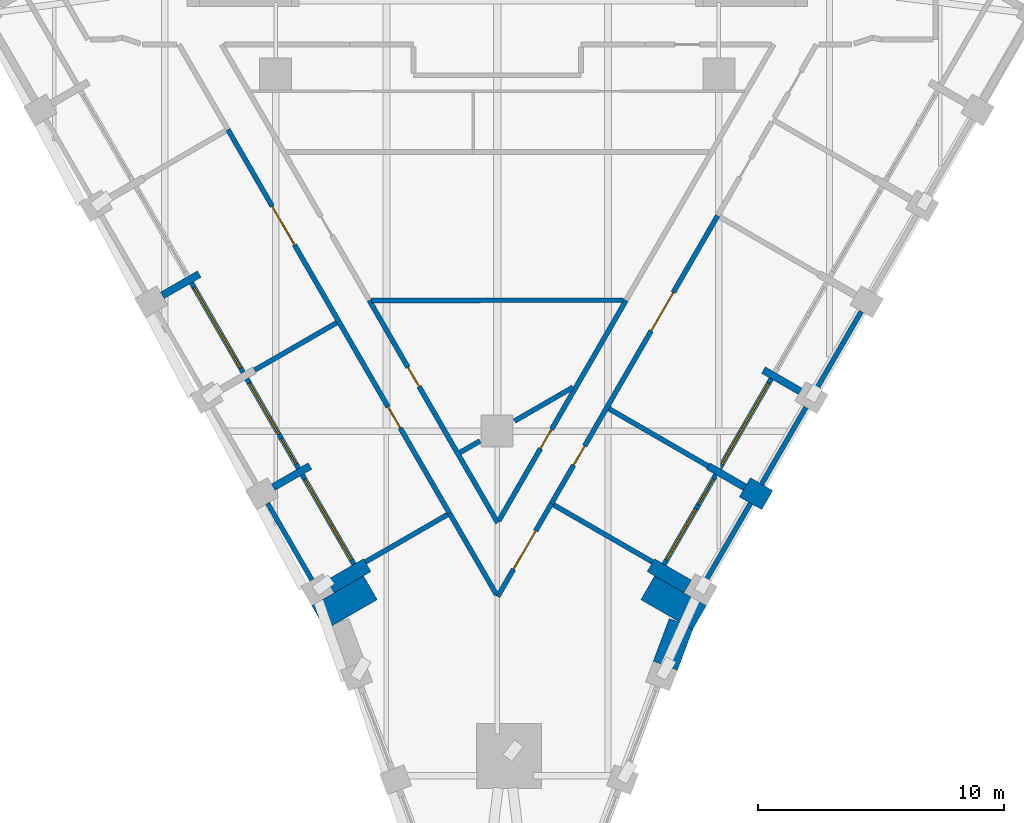
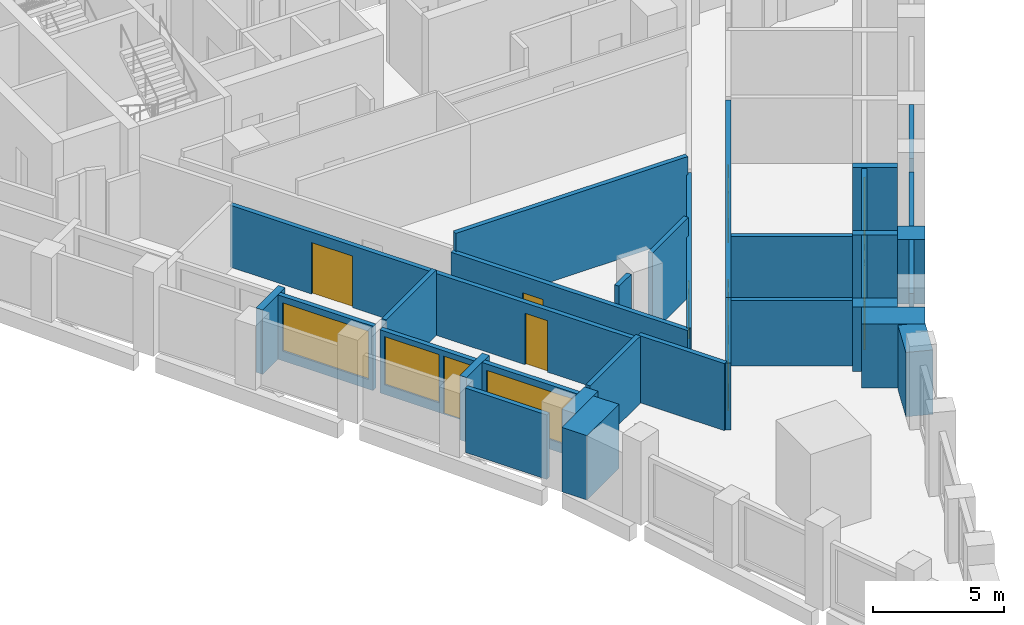
# One storey, part 3 of 10: 32 walls, 9 doors, 5 windows, 14 openings.
"""IFC4 building model written with IfcOpenShell, lengths in metres."""

import ifcopenshell
import ifcopenshell.guid

model = None  # the IFC model being written
_history = None  # IfcOwnerHistory: only IFC2X3 demands one
_inside = {}  # id of a spatial element -> (the spatial element, [elements in it])
_under = {}  # id of a project, library or spatial element -> (it, [spatial elements below it])
_declared = {}  # id of a project -> (the project, [libraries it declares])
_typed = {}  # id of a type object -> (the type object, [elements of that type])
_made_of = {}  # id of a material, layer set ... -> (it, [elements and type objects made of it])


def new_model(schema):
    """Start an empty IFC model of exactly this schema.

    Asked for "IFC4X3", IfcOpenShell would pick the latest addendum, in which some entities
    have other attributes; the version numbers below select the first issue.
    IFC2X3 requires an IfcOwnerHistory on every rooted entity: one is made here for all.
    """
    global model, _history
    if schema == "IFC4X3":
        model = ifcopenshell.file(schema_version=(4, 3, 0, 0))
    else:
        model = ifcopenshell.file(schema=schema)
    _inside.clear()
    _under.clear()
    _declared.clear()
    _typed.clear()
    _made_of.clear()
    _history = None
    if model.schema == "IFC2X3":
        org = make("IfcOrganization", Name="unknown")
        user = make(
            "IfcPersonAndOrganization",
            ThePerson=make("IfcPerson", FamilyName="unknown"),
            TheOrganization=org,
        )
        app = make(
            "IfcApplication",
            ApplicationDeveloper=org,
            Version="unknown",
            ApplicationFullName="unknown",
            ApplicationIdentifier="unknown",
        )
        _history = make(
            "IfcOwnerHistory",
            OwningUser=user,
            OwningApplication=app,
            ChangeAction="ADDED",
            CreationDate=0,
        )
    return model


def make(cls, **values):
    """One entity of the class cls with the attributes given. An attribute that is None is left unset."""
    return model.create_entity(
        cls, **{name: value for name, value in values.items() if value is not None}
    )


def rooted(cls, **values):
    """An entity with a GlobalId (a new one), such as an element, a storey or a relation."""
    return make(cls, GlobalId=ifcopenshell.guid.new(), OwnerHistory=_history, **values)


def si_unit(unit_type, name, prefix=None):
    """IfcSIUnit, for example si_unit("LENGTHUNIT", "METRE", prefix="MILLI")."""
    return make("IfcSIUnit", UnitType=unit_type, Prefix=prefix, Name=name)


def assignment(units):
    """IfcUnitAssignment: the units of a project."""
    return None if units is None else make("IfcUnitAssignment", Units=units)


def point(xyz):
    """IfcCartesianPoint."""
    return None if xyz is None else make("IfcCartesianPoint", Coordinates=xyz)


def direction(xyz):
    """IfcDirection."""
    return None if xyz is None else make("IfcDirection", DirectionRatios=xyz)


def frame(location, z_axis=None, x_axis=None):
    """IfcAxis2Placement3D, a coordinate frame: its origin and axes. An axis left out is left unset."""
    return make(
        "IfcAxis2Placement3D",
        Location=point(location),
        Axis=direction(z_axis),
        RefDirection=direction(x_axis),
    )


def frame_2d(location, x_axis=None):
    """IfcAxis2Placement2D, a coordinate frame in the plane: its origin and x axis."""
    return make(
        "IfcAxis2Placement2D", Location=point(location), RefDirection=direction(x_axis)
    )


def origin():
    """The frame at (0, 0, 0) with its axes left unset."""
    return frame((0.0, 0.0, 0.0))


def place(relative_to, where):
    """IfcLocalPlacement: puts the frame where relative to a parent placement (None: the world)."""
    return make(
        "IfcLocalPlacement", PlacementRelTo=relative_to, RelativePlacement=where
    )


def context(
    kind, dimensions, precision=None, world=None, true_north=None, identifier=None
):
    """IfcGeometricRepresentationContext, for example the 3D "Model" context."""
    return make(
        "IfcGeometricRepresentationContext",
        ContextIdentifier=identifier,
        ContextType=kind,
        CoordinateSpaceDimension=dimensions,
        Precision=precision,
        WorldCoordinateSystem=world,
        TrueNorth=true_north,
    )


def subcontext(parent, identifier, kind, view, scale=None):
    """IfcGeometricRepresentationSubContext, for example "Body" below "Model"."""
    return make(
        "IfcGeometricRepresentationSubContext",
        ContextIdentifier=identifier,
        ContextType=kind,
        ParentContext=parent,
        TargetScale=scale,
        TargetView=view,
    )


def project(units=None, contexts=None):
    """IfcProject with its units and contexts."""
    return rooted(
        "IfcProject",
        Name="project",
        RepresentationContexts=contexts,
        UnitsInContext=assignment(units),
    )


def spatial(cls, under=None, at=None, **own):
    """A site, building, storey or space (cls), placed at a placement, below another one or the project."""
    s = rooted(cls, ObjectPlacement=at, **own)
    if under is not None:
        _under.setdefault(under.id(), (under, []))[1].append(s)
    return s


def polyline(points):
    """IfcPolyline through the points."""
    return make("IfcPolyline", Points=[point(p) for p in points])


def profile(cls, at=None, kind="AREA", **sizes):
    """A parametric profile (cls). Its sizes go by their IFC names, for example OverallWidth=200.0."""
    return make(cls, ProfileType=kind, Position=at, **sizes)


def rectangle(**sizes):
    """IfcRectangleProfileDef."""
    return profile("IfcRectangleProfileDef", **sizes)


def outline(outer, holes=None, kind="AREA"):
    """IfcArbitraryClosedProfileDef: a profile drawn as a closed curve; with holes, ...WithVoids."""
    if holes is None:
        return make("IfcArbitraryClosedProfileDef", ProfileType=kind, OuterCurve=outer)
    return make(
        "IfcArbitraryProfileDefWithVoids",
        ProfileType=kind,
        OuterCurve=outer,
        InnerCurves=holes,
    )


def extrude(swept, where, along, depth):
    """IfcExtrudedAreaSolid: the profile swept, set in the frame where, extruded along a direction by depth."""
    return make(
        "IfcExtrudedAreaSolid",
        SweptArea=swept,
        Position=where,
        ExtrudedDirection=direction(along),
        Depth=depth,
    )


def shape(context_of_items, identifier, shape_type, items):
    """IfcShapeRepresentation: the items that make up one representation, for example the "Body"."""
    return make(
        "IfcShapeRepresentation",
        ContextOfItems=context_of_items,
        RepresentationIdentifier=identifier,
        RepresentationType=shape_type,
        Items=items,
    )


def material(Name=None, Category=None):
    """IfcMaterial."""
    return make("IfcMaterial", Name=Name, Category=Category)


def layer(
    of_material, thickness, ventilated=None, Name=None, Category=None, Priority=None
):
    """IfcMaterialLayer: one layer of a wall or slab, of a material (None: an air gap)."""
    return make(
        "IfcMaterialLayer",
        Material=of_material,
        LayerThickness=thickness,
        IsVentilated=ventilated,
        Name=Name,
        Category=Category,
        Priority=Priority,
    )


def layer_set(layers, Name=None):
    """IfcMaterialLayerSet."""
    return make("IfcMaterialLayerSet", MaterialLayers=layers, LayerSetName=Name)


def made_of(thing, what):
    """Note that an element or type object is made of a material, layer set ...; save() writes the relation."""
    if what is not None:
        _made_of.setdefault(what.id(), (what, []))[1].append(thing)
    return thing


def type_object(cls, material=None, **own):
    """A type object (cls), such as IfcWallType, which elements share."""
    return made_of(rooted(cls, **own), material)


def element(
    cls,
    number,
    at=None,
    inside=None,
    cuts=None,
    type_object=None,
    material=None,
    context=None,
    identifier="Body",
    shape_type=None,
    held_by="IfcProductDefinitionShape",
    body=None,
    shapes=None,
    **own,
):
    """One element of the class cls, such as IfcWall. Its Tag is "e" and its number.

    at: its placement. inside: the storey or other place that contains it. cuts: it is an
    opening in that element (IfcRelVoidsElement). A single representation is given by context,
    identifier, shape_type and body (its items); several are given by shapes. held_by: the class
    of the entity that holds the representations. save() writes the other relations.
    """
    e = rooted(cls, Tag="e%d" % number, ObjectPlacement=at, **own)
    if body is not None:
        shapes = [shape(context, identifier, shape_type, body)]
    if shapes is not None:
        e.Representation = make(held_by, Representations=shapes)
    if inside is not None:
        _inside.setdefault(inside.id(), (inside, []))[1].append(e)
    if cuts is not None:
        rooted(
            "IfcRelVoidsElement", RelatingBuildingElement=cuts, RelatedOpeningElement=e
        )
    if type_object is not None:
        _typed.setdefault(type_object.id(), (type_object, []))[1].append(e)
    return made_of(e, material)


def fill(opening, filler):
    """IfcRelFillsElement: the door or window that sits in an opening."""
    return rooted(
        "IfcRelFillsElement",
        RelatingOpeningElement=opening,
        RelatedBuildingElement=filler,
    )


def aggregate(whole, parts):
    """IfcRelAggregates: a whole, such as a stair, and the parts it consists of."""
    return rooted("IfcRelAggregates", RelatingObject=whole, RelatedObjects=parts)


def save(model, path):
    """Write the relations noted so far, then the file.

    IfcRelAggregates (storeys below a building ...), IfcRelContainedInSpatialStructure (elements
    in a storey), IfcRelDefinesByType, IfcRelAssociatesMaterial and IfcRelDeclares: one each for
    every whole, place, type object, material and project.
    """
    for whole, parts in _under.values():
        aggregate(whole, parts)
    for where, things in _inside.values():
        rooted(
            "IfcRelContainedInSpatialStructure",
            RelatedElements=things,
            RelatingStructure=where,
        )
    for kind, things in _typed.values():
        rooted("IfcRelDefinesByType", RelatedObjects=things, RelatingType=kind)
    for what, things in _made_of.values():
        rooted("IfcRelAssociatesMaterial", RelatedObjects=things, RelatingMaterial=what)
    for by, libraries in _declared.values():
        rooted("IfcRelDeclares", RelatingContext=by, RelatedDefinitions=libraries)
    model.write(path)


model = new_model("IFC4")

# Units and contexts
model_context = context("Model", 3, precision=1e-05, world=origin(), true_north=direction((0.0, 1.0)))
body_context = subcontext(model_context, "Body", "Model", "MODEL_VIEW")
ifc_project = project(units=[si_unit("LENGTHUNIT", "METRE"), si_unit("AREAUNIT", "SQUARE_METRE"), si_unit("VOLUMEUNIT", "CUBIC_METRE"), si_unit("PLANEANGLEUNIT", "RADIAN"), si_unit("MASSUNIT", "GRAM", prefix="KILO")], contexts=[model_context])

# Site, building, storey
site_placement = place(None, origin())
site = spatial("IfcSite", under=ifc_project, at=site_placement, CompositionType="ELEMENT")
building_placement = place(site_placement, origin())
building = spatial("IfcBuilding", under=site, at=building_placement, Name="Calabash Gate Tower", CompositionType="ELEMENT")
storey_placement = place(building_placement, frame((0.0, 0.0, 175.800048828125)))
storey = spatial("IfcBuildingStorey", under=building, at=storey_placement, Name="L41", CompositionType="ELEMENT", Elevation=175.800048828125)

# Walls
ifc_material_1 = material(Name="Terracotta brick masonry, exposed face", Category="masonry")
ifc_layer_1 = layer(ifc_material_1, 2.425048828125)
ifc_layer_set_1 = layer_set([ifc_layer_1], Name="Brick corner mass wall 2425")
wall_type_1 = type_object("IfcWallType", Name="Brick corner mass wall 2425", PredefinedType="SOLIDWALL", material=ifc_layer_set_1)
for number, where, z_axis, x_axis, name in (
    (1, (-5.154052734375, -18.366943359375, 0.0), (0.0, 0.0, 1.0), (-0.865997808697, -0.500047793048, 0.0), "Brick corner pier S11 1"),
    (2, (8.21337890625, -19.57958984375, 0.0), (0.0, 0.0, 1.0), (-0.865997808697, 0.500047793048, 0.0), "Brick corner pier S11 2"),
):
    element("IfcWall", number, at=place(storey_placement, frame(where, z_axis=z_axis, x_axis=x_axis)), inside=storey, type_object=wall_type_1, Name=name, PredefinedType="SOLIDWALL", context=body_context, shape_type="SweptSolid", body=[
        extrude(rectangle(XDim=2.425048828125, YDim=1.11669921875, at=frame_2d((1.21240234375, 0.0))), origin(), (0.0, 0.0, 1.0), 3.0),
    ])
ifc_material_2 = material(Name="Terracotta brick masonry, exposed face", Category="masonry")
ifc_layer_2 = layer(ifc_material_2, 1.050048828125)
ifc_layer_set_2 = layer_set([ifc_layer_2], Name="Brick end wall 1050")
wall_type_2 = type_object("IfcWallType", Name="Brick end wall 1050", PredefinedType="SOLIDWALL", material=ifc_layer_set_2)
wall_1_placement = place(storey_placement, frame((10.967529296875, -14.80908203125, 0.0), z_axis=(0.0, 0.0, 1.0), x_axis=(-0.866030680601, 0.499990860175, 0.0)))
element("IfcWall", 3, at=wall_1_placement, inside=storey, type_object=wall_type_2, Name="Brick pier S11 SE4.1", PredefinedType="SOLIDWALL", context=body_context, shape_type="SweptSolid", body=[
    extrude(rectangle(XDim=1.0498046875, YDim=0.89990234375, at=frame_2d((0.52490234375, 0.0))), origin(), (0.0, 0.0, 1.0), 3.0),
])
wall_2_placement = place(storey_placement, origin())
element("IfcWall", 4, at=wall_2_placement, inside=storey, type_object=wall_type_2, Name="Brick end wall S11 3", PredefinedType="SOLIDWALL", context=body_context, shape_type="SweptSolid", body=[
    extrude(outline(polyline([(6.98828125, -19.61572265625), (6.337890625, -21.345947265625), (7.32080078125, -21.71533203125), (7.955810546875, -20.025634765625), (7.934326171875, -20.06298828125), (7.479736328125, -19.800537109375), (6.98828125, -19.61572265625)])), origin(), (0.0, 0.0, 1.0), 3.0),
])
ifc_material_3 = material(Name="Terracotta brick masonry, exposed face", Category="masonry")
ifc_layer_3 = layer(ifc_material_3, 0.300048828125)
ifc_layer_set_3 = layer_set([ifc_layer_3], Name="Brick loggia cheek wall 300")
wall_type_3 = type_object("IfcWallType", Name="Brick loggia cheek wall 300", PredefinedType="SOLIDWALL", material=ifc_layer_set_3)
for number, where, z_axis, x_axis, name in (
    (5, (-13.598876953125, -6.489990234375, 0.0), (0.0, 0.0, 1.0), (0.866013532718, 0.500020560727, 0.0), "Loggia cheek S11 SW0.5"),
    (6, (-9.098876953125, -14.2841796875, 0.0), (0.0, 0.0, 1.0), (0.866013532718, 0.500020560727, 0.0), "Loggia cheek S11 SW0.7"),
):
    element("IfcWall", number, at=place(storey_placement, frame(where, z_axis=z_axis, x_axis=x_axis)), inside=storey, type_object=wall_type_3, Name=name, PredefinedType="SOLIDWALL", context=body_context, shape_type="SweptSolid", body=[
        extrude(rectangle(XDim=1.72509765625, YDim=0.300048828125, at=frame_2d((0.862548828125, 0.0))), origin(), (0.0, 0.0, 1.0), 3.0),
    ])
for number, where, z_axis, x_axis, name in (
    (7, (-6.77392578125, -18.311279296875, 0.0), (0.0, 0.0, 1.0), (0.866013532718, 0.500020560727, 0.0), "Loggia cheek S11 SW0.8"),
    (8, (7.7333984375, -18.311279296875, 0.0), (0.0, 0.0, 1.0), (-0.866013532718, 0.500020560727, 0.0), "Loggia cheek S11 SE4.0"),
):
    element("IfcWall", number, at=place(storey_placement, frame(where, z_axis=z_axis, x_axis=x_axis)), inside=storey, type_object=wall_type_3, Name=name, PredefinedType="SOLIDWALL", context=body_context, shape_type="SweptSolid", body=[
        extrude(rectangle(XDim=1.72509765625, YDim=0.60009765625, at=frame_2d((0.862548828125, 0.0))), origin(), (0.0, 0.0, 1.0), 3.0),
    ])
wall_3_placement = place(storey_placement, frame((10.058349609375, -14.2841796875, 0.0), z_axis=(0.0, 0.0, 1.0), x_axis=(-0.866013532718, 0.500020560727, 0.0)))
element("IfcWall", 9, at=wall_3_placement, inside=storey, type_object=wall_type_3, Name="Loggia cheek S11 SE4.1", PredefinedType="SOLIDWALL", context=body_context, shape_type="SweptSolid", body=[
    extrude(rectangle(XDim=1.72509765625, YDim=0.300048828125, at=frame_2d((0.862548828125, 0.0))), origin(), (0.0, 0.0, 1.0), 3.0),
])
wall_4_placement = place(storey_placement, frame((12.308349609375, -10.386962890625, 0.0), z_axis=(0.0, 0.0, 1.0), x_axis=(-0.866074815912, 0.499914405916, 0.0)))
element("IfcWall", 10, at=wall_4_placement, inside=storey, type_object=wall_type_3, Name="Loggia cheek S11 SE4.2", PredefinedType="SOLIDWALL", context=body_context, shape_type="SweptSolid", body=[
    extrude(rectangle(XDim=1.724853515625, YDim=0.300048828125, at=frame_2d((0.8623046875, 0.0))), origin(), (0.0, 0.0, 1.0), 3.0),
])
ifc_material_4 = material(Name="Gypsum board on steel studs, mineral wool", Category="steel")
ifc_layer_4 = layer(ifc_material_4, 0.199951171875)
ifc_layer_set_4 = layer_set([ifc_layer_4], Name="Partition 200 gypsum board EI 60")
wall_type_4 = type_object("IfcWallType", Name="Partition 200 gypsum board EI 60", PredefinedType="PARTITIONING", material=ifc_layer_set_4)
wall_5_placement = place(storey_placement, frame((-1.935791015625, -15.34521484375, 0.0), z_axis=(0.0, 0.0, 1.0), x_axis=(0.500383446004, -0.865803907918, 0.0)))
element("IfcWall", 11, at=wall_5_placement, inside=storey, type_object=wall_type_4, Name="Partition", PredefinedType="PARTITIONING", context=body_context, shape_type="SweptSolid", body=[
    extrude(rectangle(XDim=3.80419921875, YDim=0.199951171875, at=frame_2d((1.902099609375, 0.0))), origin(), (0.0, 0.0, 1.0), 3.1279296875),
])
wall_6_placement = place(storey_placement, frame((2.286865234375, -14.99560546875, 0.0), z_axis=(0.0, 0.0, 1.0), x_axis=(0.866183837695, -0.499725483956, 0.0)))
element("IfcWall", 12, at=wall_6_placement, inside=storey, type_object=wall_type_4, Name="Partition", PredefinedType="PARTITIONING", context=body_context, shape_type="SweptSolid", body=[
    extrude(rectangle(XDim=4.6494140625, YDim=0.199951171875, at=frame_2d((2.32470703125, 0.0))), origin(), (0.0, 0.0, 1.0), 3.0517578125),
])

# Wall, opening, door
wall_7_placement = place(storey_placement, frame((0.06787109375, -15.637939453125, 0.0), z_axis=(0.0, 0.0, 1.0), x_axis=(0.499989755964, 0.866031318101, 0.0)))
wall_7 = element("IfcWall", 13, at=wall_7_placement, inside=storey, type_object=wall_type_4, Name="Partition", PredefinedType="PARTITIONING", context=body_context, shape_type="SweptSolid", body=[
    extrude(rectangle(XDim=10.330810546875, YDim=0.199951171875, at=frame_2d((5.16552734375, 0.0))), origin(), (0.0, 0.0, 1.0), 2.884033203125),
])
opening_1_placement = place(wall_7_placement, frame((3.384521484375, 0.0, 0.0)))
opening_1 = element("IfcOpeningElement", 14, at=opening_1_placement, cuts=wall_7, Name="Opening 39-41-006", PredefinedType="OPENING", context=body_context, shape_type="SweptSolid", body=[
    extrude(rectangle(XDim=0.89990234375, YDim=2.10009765625, at=frame_2d((0.449951171875, 1.050048828125))), frame((0.0, 0.10986328125, 0.0), z_axis=(0.0, -1.0, 0.0), x_axis=(1.0, 0.0, 0.0)), (0.0, 0.0, 1.0), 0.219970703125),
])
ifc_material_5 = material(Name="Steel fire door set with fire-resisting glazing", Category="steel")
door_type_1 = type_object("IfcDoorType", Name="SD3 Store door 900x2100", OperationType="NOTDEFINED", PredefinedType="DOOR", material=ifc_material_5)
door_1_placement = place(opening_1_placement, origin())
door_1 = element("IfcDoor", 15, at=door_1_placement, inside=storey, type_object=door_type_1, Name="Store door", OperationType="SINGLE_SWING_LEFT", OverallHeight=2.10009765625, OverallWidth=0.89990234375, PredefinedType="DOOR", context=body_context, shape_type="SweptSolid", body=[
    extrude(rectangle(XDim=0.89990234375, YDim=2.10009765625, at=frame_2d((0.449951171875, 1.050048828125))), frame((0.0, 0.02490234375, 0.0), z_axis=(0.0, -1.0, 0.0), x_axis=(1.0, 0.0, 0.0)), (0.0, 0.0, 1.0), 0.050048828125),
])
fill(opening_1, door_1)

# Wall
wall_8_placement = place(storey_placement, frame((-5.354736328125, -17.319091796875, 0.0), z_axis=(0.0, 0.0, 1.0), x_axis=(0.866214094833, 0.499673035007, 0.0)))
element("IfcWall", 16, at=wall_8_placement, inside=storey, type_object=wall_type_4, Name="Partition", PredefinedType="PARTITIONING", context=body_context, shape_type="SweptSolid", body=[
    extrude(rectangle(XDim=3.84912109375, YDim=0.199951171875, at=frame_2d((1.924560546875, 0.0))), origin(), (0.0, 0.0, 1.0), 3.1279296875),
])

# Wall, openings, doors
wall_9_placement = place(storey_placement, frame((-10.93603515625, 0.24365234375, 0.0), z_axis=(0.0, 0.0, 1.0), x_axis=(0.5000018851, -0.866024315419, 0.0)))
wall_9 = element("IfcWall", 17, at=wall_9_placement, inside=storey, type_object=wall_type_4, Name="Partition", PredefinedType="PARTITIONING", context=body_context, shape_type="SweptSolid", body=[
    extrude(rectangle(XDim=18.0, YDim=0.199951171875, at=frame_2d((9.0, 0.0))), origin(), (0.0, 0.0, 1.0), 2.884033203125),
])
opening_2_placement = place(wall_9_placement, frame((3.60009765625, 0.0, 0.0)))
opening_2 = element("IfcOpeningElement", 18, at=opening_2_placement, cuts=wall_9, Name="Opening 39-41-001", PredefinedType="OPENING", context=body_context, shape_type="SweptSolid", body=[
    extrude(rectangle(XDim=1.800048828125, YDim=2.39990234375, at=frame_2d((0.89990234375, 1.199951171875))), frame((0.0, 0.10986328125, 0.0), z_axis=(0.0, -1.0, 0.0), x_axis=(1.0, 0.0, 0.0)), (0.0, 0.0, 1.0), 0.219970703125),
])
opening_3_placement = place(wall_9_placement, frame((13.0, 0.0, 0.0)))
opening_3 = element("IfcOpeningElement", 19, at=opening_3_placement, cuts=wall_9, Name="Opening 39-41-002", PredefinedType="OPENING", context=body_context, shape_type="SweptSolid", body=[
    extrude(rectangle(XDim=1.0, YDim=2.39990234375, at=frame_2d((0.5, 1.199951171875))), frame((0.0, 0.10986328125, 0.0), z_axis=(0.0, -1.0, 0.0), x_axis=(1.0, 0.0, 0.0)), (0.0, 0.0, 1.0), 0.219970703125),
])
ifc_material_6 = material(Name="Painted timber door", Category="wood")
door_type_2 = type_object("IfcDoorType", Name="OD2 Glazed office door 1000x2400", OperationType="NOTDEFINED", PredefinedType="DOOR", material=ifc_material_6)
door_2_placement = place(opening_3_placement, origin())
door_2 = element("IfcDoor", 20, at=door_2_placement, inside=storey, type_object=door_type_2, Name="Glazed office door", OperationType="SINGLE_SWING_LEFT", OverallHeight=2.39990234375, OverallWidth=1.0, PredefinedType="DOOR", context=body_context, shape_type="SweptSolid", body=[
    extrude(rectangle(XDim=1.0, YDim=2.39990234375, at=frame_2d((0.5, 1.199951171875))), frame((0.0, 0.02490234375, 0.0), z_axis=(0.0, -1.0, 0.0), x_axis=(1.0, 0.0, 0.0)), (0.0, 0.0, 1.0), 0.050048828125),
])
fill(opening_3, door_2)
ifc_material_7 = material(Name="Steel fire door set with fire-resisting glazing", Category="steel")
door_type_3 = type_object("IfcDoorType", Name="TD1 Tenancy entrance double door 1800x2400", OperationType="NOTDEFINED", PredefinedType="DOOR", material=ifc_material_7)
door_3_placement = place(opening_2_placement, origin())
door_3 = element("IfcDoor", 21, at=door_3_placement, inside=storey, type_object=door_type_3, Name="Tenancy entrance double door", OperationType="DOUBLE_DOOR_SINGLE_SWING", OverallHeight=2.39990234375, OverallWidth=1.800048828125, PredefinedType="DOOR", context=body_context, shape_type="SweptSolid", body=[
    extrude(rectangle(XDim=1.800048828125, YDim=2.39990234375, at=frame_2d((0.89990234375, 1.199951171875))), frame((0.0, 0.02490234375, 0.0), z_axis=(0.0, -1.0, 0.0), x_axis=(1.0, 0.0, 0.0)), (0.0, 0.0, 1.0), 0.050048828125),
])
fill(opening_2, door_3)

# Wall, opening, door
wall_10_placement = place(storey_placement, frame((0.017822265625, -18.725341796875, 0.0), z_axis=(0.0, 0.0, 1.0), x_axis=(0.500372623754, 0.865810162448, 0.0)))
wall_10 = element("IfcWall", 22, at=wall_10_placement, inside=storey, type_object=wall_type_4, Name="Partition", PredefinedType="PARTITIONING", context=body_context, shape_type="SweptSolid", body=[
    extrude(rectangle(XDim=4.365966796875, YDim=0.199951171875, at=frame_2d((2.18310546875, 0.0))), origin(), (0.0, 0.0, 1.0), 3.1279296875),
])
opening_4_placement = place(wall_10_placement, frame((1.283203125, 0.0, 0.0)))
opening_4 = element("IfcOpeningElement", 23, at=opening_4_placement, cuts=wall_10, Name="Opening 39-41-013", PredefinedType="OPENING", context=body_context, shape_type="SweptSolid", body=[
    extrude(rectangle(XDim=1.800048828125, YDim=2.39990234375, at=frame_2d((0.89990234375, 1.199951171875))), frame((0.0, 0.10986328125, 0.0), z_axis=(0.0, -1.0, 0.0), x_axis=(1.0, 0.0, 0.0)), (0.0, 0.0, 1.0), 0.219970703125),
])
ifc_material_8 = material(Name="Steel fire door set with fire-resisting glazing", Category="steel")
door_type_4 = type_object("IfcDoorType", Name="OD5 Open office double door 1800x2400", OperationType="NOTDEFINED", PredefinedType="DOOR", material=ifc_material_8)
door_4_placement = place(opening_4_placement, origin())
door_4 = element("IfcDoor", 24, at=door_4_placement, inside=storey, type_object=door_type_4, Name="Open office double door", OperationType="DOUBLE_DOOR_SINGLE_SWING", OverallHeight=2.39990234375, OverallWidth=1.800048828125, PredefinedType="DOOR", context=body_context, shape_type="SweptSolid", body=[
    extrude(rectangle(XDim=1.800048828125, YDim=2.39990234375, at=frame_2d((0.89990234375, 1.199951171875))), frame((0.0, 0.02490234375, 0.0), z_axis=(0.0, -1.0, 0.0), x_axis=(1.0, 0.0, 0.0)), (0.0, 0.0, 1.0), 0.050048828125),
])
fill(opening_4, door_4)

# Walls
wall_11_placement = place(storey_placement, frame((-1.51220703125, -12.870849609375, 0.0), z_axis=(0.0, 0.0, 1.0), x_axis=(0.866909118008, 0.498466228659, 0.0)))
element("IfcWall", 25, at=wall_11_placement, inside=storey, type_object=wall_type_4, Name="Partition", PredefinedType="PARTITIONING", context=body_context, shape_type="SweptSolid", body=[
    extrude(rectangle(XDim=0.93701171875, YDim=0.199951171875, at=frame_2d((0.468505859375, 0.0))), origin(), (0.0, 0.0, 1.0), 3.72998046875),
])
wall_12_placement = place(storey_placement, frame((0.699951171875, -11.595703125, 0.0), z_axis=(0.0, 0.0, 1.0), x_axis=(0.865997634224, 0.500048095206, 0.0)))
element("IfcWall", 26, at=wall_12_placement, inside=storey, type_object=wall_type_4, Name="Partition", PredefinedType="PARTITIONING", context=body_context, shape_type="SweptSolid", body=[
    extrude(rectangle(XDim=2.747314453125, YDim=0.199951171875, at=frame_2d((1.37353515625, 0.0))), origin(), (0.0, 0.0, 1.0), 3.72998046875),
])
wall_13_placement = place(storey_placement, frame((4.53857421875, -11.09521484375, 0.0), z_axis=(0.0, 0.0, 1.0), x_axis=(0.865854964183, -0.50029509392, 0.0)))
element("IfcWall", 27, at=wall_13_placement, inside=storey, type_object=wall_type_4, Name="Partition", PredefinedType="PARTITIONING", context=body_context, shape_type="SweptSolid", body=[
    extrude(rectangle(XDim=4.649658203125, YDim=0.199951171875, at=frame_2d((2.32470703125, 0.0))), origin(), (0.0, 0.0, 1.0), 2.884033203125),
])
wall_14_placement = place(storey_placement, frame((-9.85498046875, -9.524658203125, 0.0), z_axis=(0.0, 0.0, 1.0), x_axis=(0.866261590682, 0.499590688974, 0.0)))
element("IfcWall", 28, at=wall_14_placement, inside=storey, type_object=wall_type_4, Name="Partition", PredefinedType="PARTITIONING", context=body_context, shape_type="SweptSolid", body=[
    extrude(rectangle(XDim=3.849853515625, YDim=0.199951171875, at=frame_2d((1.9248046875, 0.0))), origin(), (0.0, 0.0, 1.0), 3.0517578125),
])

# Wall, opening, door
wall_15_placement = place(storey_placement, frame((-5.196044921875, -6.690185546875, 0.0), z_axis=(0.0, 0.0, 1.0), x_axis=(0.499990567915, -0.866030849332, 0.0)))
wall_15 = element("IfcWall", 29, at=wall_15_placement, inside=storey, type_object=wall_type_4, Name="Partition", PredefinedType="PARTITIONING", context=body_context, shape_type="SweptSolid", body=[
    extrude(rectangle(XDim=10.430908203125, YDim=0.199951171875, at=frame_2d((5.21533203125, 0.0))), origin(), (0.0, 0.0, 1.0), 2.884033203125),
])
opening_5_placement = place(wall_15_placement, frame((3.147705078125, 0.0, 0.0)))
opening_5 = element("IfcOpeningElement", 30, at=opening_5_placement, cuts=wall_15, Name="Opening 39-41-007", PredefinedType="OPENING", context=body_context, shape_type="SweptSolid", body=[
    extrude(rectangle(XDim=0.89990234375, YDim=2.10009765625, at=frame_2d((0.449951171875, 1.050048828125))), frame((0.0, 0.10986328125, 0.0), z_axis=(0.0, -1.0, 0.0), x_axis=(1.0, 0.0, 0.0)), (0.0, 0.0, 1.0), 0.219970703125),
])
door_5_placement = place(opening_5_placement, origin())
door_5 = element("IfcDoor", 31, at=door_5_placement, inside=storey, type_object=door_type_1, Name="Store door", OperationType="SINGLE_SWING_LEFT", OverallHeight=2.10009765625, OverallWidth=0.89990234375, PredefinedType="DOOR", context=body_context, shape_type="SweptSolid", body=[
    extrude(rectangle(XDim=0.89990234375, YDim=2.10009765625, at=frame_2d((0.449951171875, 1.050048828125))), frame((0.0, 0.02490234375, 0.0), z_axis=(0.0, -1.0, 0.0), x_axis=(1.0, 0.0, 0.0)), (0.0, 0.0, 1.0), 0.050048828125),
])
fill(opening_5, door_5)

# Wall
wall_16_placement = place(storey_placement, frame((-5.098388671875, -6.68994140625, 0.0), z_axis=(0.0, 0.0, 1.0), x_axis=(0.99999998975, 0.000143177586, 0.0)))
element("IfcWall", 32, at=wall_16_placement, inside=storey, type_object=wall_type_4, Name="Partition", PredefinedType="PARTITIONING", context=body_context, shape_type="SweptSolid", body=[
    extrude(rectangle(XDim=10.23095703125, YDim=0.199951171875, at=frame_2d((5.115478515625, 0.0))), origin(), (0.0, 0.0, 1.0), 3.72998046875),
])

# Wall, openings, doors
wall_17_placement = place(storey_placement, frame((2.202392578125, -14.94482421875, 0.0), z_axis=(0.0, 0.0, 1.0), x_axis=(0.499997969693, 0.866026575979, 0.0)))
wall_17 = element("IfcWall", 33, at=wall_17_placement, inside=storey, type_object=wall_type_4, Name="Partition", PredefinedType="PARTITIONING", context=body_context, shape_type="SweptSolid", body=[
    extrude(rectangle(XDim=13.5, YDim=0.199951171875, at=frame_2d((6.75, 0.0))), origin(), (0.0, 0.0, 1.0), 2.884033203125),
])
opening_6_placement = place(wall_17_placement, frame((1.800048828125, 0.0, 0.0)))
opening_6 = element("IfcOpeningElement", 34, at=opening_6_placement, cuts=wall_17, Name="Opening 39-41-003", PredefinedType="OPENING", context=body_context, shape_type="SweptSolid", body=[
    extrude(rectangle(XDim=0.89990234375, YDim=2.10009765625, at=frame_2d((0.449951171875, 1.050048828125))), frame((0.0, 0.10986328125, 0.0), z_axis=(0.0, -1.0, 0.0), x_axis=(1.0, 0.0, 0.0)), (0.0, 0.0, 1.0), 0.219970703125),
])
opening_7_placement = place(wall_17_placement, frame((8.10009765625, 0.0, 0.0)))
opening_7 = element("IfcOpeningElement", 35, at=opening_7_placement, cuts=wall_17, Name="Opening 39-41-004", PredefinedType="OPENING", context=body_context, shape_type="SweptSolid", body=[
    extrude(rectangle(XDim=1.800048828125, YDim=2.39990234375, at=frame_2d((0.89990234375, 1.199951171875))), frame((0.0, 0.10986328125, 0.0), z_axis=(0.0, -1.0, 0.0), x_axis=(1.0, 0.0, 0.0)), (0.0, 0.0, 1.0), 0.219970703125),
])
ifc_material_9 = material(Name="Painted timber door", Category="wood")
door_type_5 = type_object("IfcDoorType", Name="OD1 Office door 900x2100", OperationType="NOTDEFINED", PredefinedType="DOOR", material=ifc_material_9)
door_6_placement = place(opening_6_placement, origin())
door_6 = element("IfcDoor", 36, at=door_6_placement, inside=storey, type_object=door_type_5, Name="Office door", OperationType="SINGLE_SWING_RIGHT", OverallHeight=2.10009765625, OverallWidth=0.89990234375, PredefinedType="DOOR", context=body_context, shape_type="SweptSolid", body=[
    extrude(rectangle(XDim=0.89990234375, YDim=2.10009765625, at=frame_2d((0.449951171875, 1.050048828125))), frame((0.0, 0.02490234375, 0.0), z_axis=(0.0, -1.0, 0.0), x_axis=(1.0, 0.0, 0.0)), (0.0, 0.0, 1.0), 0.050048828125),
])
fill(opening_6, door_6)
door_7_placement = place(opening_7_placement, origin())
door_7 = element("IfcDoor", 37, at=door_7_placement, inside=storey, type_object=door_type_3, Name="Tenancy entrance double door", OperationType="DOUBLE_DOOR_SINGLE_SWING", OverallHeight=2.39990234375, OverallWidth=1.800048828125, PredefinedType="DOOR", context=body_context, shape_type="SweptSolid", body=[
    extrude(rectangle(XDim=1.800048828125, YDim=2.39990234375, at=frame_2d((0.89990234375, 1.199951171875))), frame((0.0, 0.02490234375, 0.0), z_axis=(0.0, -1.0, 0.0), x_axis=(1.0, 0.0, 0.0)), (0.0, 0.0, 1.0), 0.050048828125),
])
fill(opening_7, door_7)

# Walls
ifc_material_10 = material(Name="Terracotta brick masonry, perforated", Category="masonry")
ifc_layer_5 = layer(ifc_material_10, 0.199951171875)
ifc_layer_set_5 = layer_set([ifc_layer_5], Name="Terracotta jaali screen A")
wall_type_5 = type_object("IfcWallType", Name="Terracotta jaali screen A", PredefinedType="SOLIDWALL", material=ifc_layer_set_5)
for number, where, z_axis, x_axis, name in (
    (38, (-9.32861328125, -14.936279296875, 0.0), (0.0, 0.0, 1.0), (0.500012057535, -0.866018442252, 0.0), "SCREEN A S11 SW0.8"),
    (39, (8.488037109375, -18.053955078125, 0.0), (0.0, 0.0, 1.0), (0.500012057535, 0.866018442252, 0.0), "SCREEN A S11 SE4.1"),
    (40, (10.738037109375, -14.156982421875, 0.0), (0.0, 0.0, 1.0), (0.500012057535, 0.866018442252, 0.0), "SCREEN A S11 SE4.2"),
    (41, (12.988037109375, -10.259765625, 0.0), (0.0, 0.0, 1.0), (0.500012057535, 0.866018442252, 0.0), "SCREEN A S11 SE4.3"),
):
    element("IfcWall", number, at=place(storey_placement, frame(where, z_axis=z_axis, x_axis=x_axis)), inside=storey, type_object=wall_type_5, Name=name, PredefinedType="SOLIDWALL", context=body_context, shape_type="SweptSolid", body=[
        extrude(rectangle(XDim=3.60009765625, YDim=0.199951171875, at=frame_2d((1.800048828125, 0.0))), origin(), (0.0, 0.0, 1.0), 3.0),
    ])

# Wall, opening, window
ifc_material_11 = material(Name="Aluminium framed window wall with insulated spandrel", Category="aluminium")
ifc_layer_6 = layer(ifc_material_11, 0.199951171875)
ifc_layer_set_6 = layer_set([ifc_layer_6], Name="Window wall 200")
wall_type_6 = type_object("IfcWallType", Name="Window wall 200", PredefinedType="ELEMENTEDWALL", material=ifc_layer_set_6)
wall_18_placement = place(storey_placement, frame((-12.419921875, -5.982421875, 0.0), z_axis=(0.0, 0.0, 1.0), x_axis=(0.500027713859, -0.866009402589, 0.0)))
wall_18 = element("IfcWall", 42, at=wall_18_placement, inside=storey, type_object=wall_type_6, Name="Window wall S11 SW0.6", PredefinedType="ELEMENTEDWALL", context=body_context, shape_type="SweptSolid", body=[
    extrude(rectangle(XDim=4.199951171875, YDim=0.199951171875, at=frame_2d((2.10009765625, 0.0))), origin(), (0.0, 0.0, 1.0), 3.0),
])
opening_8_placement = place(wall_18_placement, frame((0.199951171875, 0.0, 0.449951171875)))
opening_8 = element("IfcOpeningElement", 43, at=opening_8_placement, cuts=wall_18, Name="Opening OW2", PredefinedType="OPENING", context=body_context, shape_type="SweptSolid", body=[
    extrude(rectangle(XDim=3.800048828125, YDim=2.25, at=frame_2d((1.89990234375, 1.125))), frame((0.0, 0.10986328125, 0.0), z_axis=(0.0, -1.0, 0.0), x_axis=(1.0, 0.0, 0.0)), (0.0, 0.0, 1.0), 0.219970703125),
])
ifc_material_12 = material(Name="Anodised aluminium frame, bronze finish, impact-rated laminated clear glazing", Category="aluminium")
window_type_1 = type_object("IfcWindowType", Name="Window OW2 3800x2250", PartitioningType="TRIPLE_PANEL_VERTICAL", PredefinedType="WINDOW", material=ifc_material_12)
window_1_placement = place(opening_8_placement, origin())
window_1 = element("IfcWindow", 44, at=window_1_placement, inside=storey, type_object=window_type_1, Name="Window OW2 S11 SW0.6", OverallHeight=2.25, OverallWidth=3.800048828125, PartitioningType="SINGLE_PANEL", PredefinedType="WINDOW", context=body_context, shape_type="SweptSolid", body=[
    extrude(rectangle(XDim=3.800048828125, YDim=2.25, at=frame_2d((1.89990234375, 1.125))), frame((0.0, 0.030029296875, 0.0), z_axis=(0.0, -1.0, 0.0), x_axis=(1.0, 0.0, 0.0)), (0.0, 0.0, 1.0), 0.06005859375),
])
fill(opening_8, window_1)

# Wall, openings, door, window
wall_19_placement = place(storey_placement, frame((-10.169921875, -9.87939453125, 0.0), z_axis=(0.0, 0.0, 1.0), x_axis=(0.500002543286, -0.866023935413, 0.0)))
wall_19 = element("IfcWall", 45, at=wall_19_placement, inside=storey, type_object=wall_type_6, Name="Window wall S11 SW0.7", PredefinedType="ELEMENTEDWALL", context=body_context, shape_type="SweptSolid", body=[
    extrude(rectangle(XDim=4.2001953125, YDim=0.199951171875, at=frame_2d((2.10009765625, 0.0))), origin(), (0.0, 0.0, 1.0), 2.949951171875),
])
opening_9_placement = place(wall_19_placement, frame((0.199951171875, 0.0, 0.449951171875)))
opening_9 = element("IfcOpeningElement", 46, at=opening_9_placement, cuts=wall_19, Name="Opening OW1", PredefinedType="OPENING", context=body_context, shape_type="SweptSolid", body=[
    extrude(rectangle(XDim=2.39990234375, YDim=2.25, at=frame_2d((1.199951171875, 1.125))), frame((0.0, 0.10986328125, 0.0), z_axis=(0.0, -1.0, 0.0), x_axis=(1.0, 0.0, 0.0)), (0.0, 0.0, 1.0), 0.219970703125),
])
opening_10_placement = place(wall_19_placement, frame((2.800048828125, 0.0, 0.0)))
opening_10 = element("IfcOpeningElement", 47, at=opening_10_placement, cuts=wall_19, Name="Opening O3-027", PredefinedType="OPENING", context=body_context, shape_type="SweptSolid", body=[
    extrude(rectangle(XDim=1.199951171875, YDim=2.699951171875, at=frame_2d((0.60009765625, 1.35009765625))), frame((0.0, 0.10986328125, 0.0), z_axis=(0.0, -1.0, 0.0), x_axis=(1.0, 0.0, 0.0)), (0.0, 0.0, 1.0), 0.219970703125),
])
ifc_material_13 = material(Name="Anodised aluminium frame, bronze finish, impact-rated laminated clear glazing", Category="aluminium")
door_type_6 = type_object("IfcDoorType", Name="Loggia door DO1 1200x2700", OperationType="SLIDING_TO_LEFT", PredefinedType="DOOR", material=ifc_material_13)
door_8_placement = place(opening_10_placement, origin())
door_8 = element("IfcDoor", 48, at=door_8_placement, inside=storey, type_object=door_type_6, Name="Loggia door S11 SW0.7", OperationType="SINGLE_SWING_LEFT", OverallHeight=2.699951171875, OverallWidth=1.199951171875, PredefinedType="DOOR", context=body_context, shape_type="SweptSolid", body=[
    extrude(rectangle(XDim=1.199951171875, YDim=2.699951171875, at=frame_2d((0.60009765625, 1.35009765625))), frame((0.0, 0.02490234375, 0.0), z_axis=(0.0, -1.0, 0.0), x_axis=(1.0, 0.0, 0.0)), (0.0, 0.0, 1.0), 0.050048828125),
])
fill(opening_10, door_8)
ifc_material_14 = material(Name="Anodised aluminium frame, bronze finish, impact-rated laminated clear glazing", Category="aluminium")
window_type_2 = type_object("IfcWindowType", Name="Window OW1 2400x2250", PartitioningType="DOUBLE_PANEL_VERTICAL", PredefinedType="WINDOW", material=ifc_material_14)
window_2_placement = place(opening_9_placement, origin())
window_2 = element("IfcWindow", 49, at=window_2_placement, inside=storey, type_object=window_type_2, Name="Window OW1 S11 SW0.7", OverallHeight=2.25, OverallWidth=2.39990234375, PartitioningType="SINGLE_PANEL", PredefinedType="WINDOW", context=body_context, shape_type="SweptSolid", body=[
    extrude(rectangle(XDim=2.39990234375, YDim=2.25, at=frame_2d((1.199951171875, 1.125))), frame((0.0, 0.030029296875, 0.0), z_axis=(0.0, -1.0, 0.0), x_axis=(1.0, 0.0, 0.0)), (0.0, 0.0, 1.0), 0.06005859375),
])
fill(opening_9, window_2)

# Wall, opening, window
wall_20_placement = place(storey_placement, frame((-7.919921875, -13.776611328125, 0.0), z_axis=(0.0, 0.0, 1.0), x_axis=(0.500027713859, -0.866009402589, 0.0)))
wall_20 = element("IfcWall", 50, at=wall_20_placement, inside=storey, type_object=wall_type_6, Name="Window wall S11 SW0.8", PredefinedType="ELEMENTEDWALL", context=body_context, shape_type="SweptSolid", body=[
    extrude(rectangle(XDim=4.199951171875, YDim=0.199951171875, at=frame_2d((2.10009765625, 0.0))), origin(), (0.0, 0.0, 1.0), 3.0),
])
opening_11_placement = place(wall_20_placement, frame((0.199951171875, 0.0, 0.449951171875)))
opening_11 = element("IfcOpeningElement", 51, at=opening_11_placement, cuts=wall_20, Name="Opening OW2", PredefinedType="OPENING", context=body_context, shape_type="SweptSolid", body=[
    extrude(rectangle(XDim=3.800048828125, YDim=2.25, at=frame_2d((1.89990234375, 1.125))), frame((0.0, 0.10986328125, 0.0), z_axis=(0.0, -1.0, 0.0), x_axis=(1.0, 0.0, 0.0)), (0.0, 0.0, 1.0), 0.219970703125),
])
window_3_placement = place(opening_11_placement, origin())
window_3 = element("IfcWindow", 52, at=window_3_placement, inside=storey, type_object=window_type_1, Name="Window OW2 S11 SW0.8", OverallHeight=2.25, OverallWidth=3.800048828125, PartitioningType="SINGLE_PANEL", PredefinedType="WINDOW", context=body_context, shape_type="SweptSolid", body=[
    extrude(rectangle(XDim=3.800048828125, YDim=2.25, at=frame_2d((1.89990234375, 1.125))), frame((0.0, 0.030029296875, 0.0), z_axis=(0.0, -1.0, 0.0), x_axis=(1.0, 0.0, 0.0)), (0.0, 0.0, 1.0), 0.06005859375),
])
fill(opening_11, window_3)

# Wall, openings, door, window
wall_21_placement = place(storey_placement, frame((6.779052734375, -17.413818359375, 0.0), z_axis=(0.0, 0.0, 1.0), x_axis=(0.500027713859, 0.866009402589, 0.0)))
wall_21 = element("IfcWall", 53, at=wall_21_placement, inside=storey, type_object=wall_type_6, Name="Window wall S11 SE4.1", PredefinedType="ELEMENTEDWALL", context=body_context, shape_type="SweptSolid", body=[
    extrude(rectangle(XDim=4.199951171875, YDim=0.199951171875, at=frame_2d((2.10009765625, 0.0))), origin(), (0.0, 0.0, 1.0), 3.0),
])
opening_12_placement = place(wall_21_placement, frame((0.199951171875, 0.0, 0.449951171875)))
opening_12 = element("IfcOpeningElement", 54, at=opening_12_placement, cuts=wall_21, Name="Opening OW1", PredefinedType="OPENING", context=body_context, shape_type="SweptSolid", body=[
    extrude(rectangle(XDim=2.39990234375, YDim=2.25, at=frame_2d((1.199951171875, 1.125))), frame((0.0, 0.10986328125, 0.0), z_axis=(0.0, -1.0, 0.0), x_axis=(1.0, 0.0, 0.0)), (0.0, 0.0, 1.0), 0.219970703125),
])
opening_13_placement = place(wall_21_placement, frame((2.800048828125, 0.0, 0.0)))
opening_13 = element("IfcOpeningElement", 55, at=opening_13_placement, cuts=wall_21, Name="Opening O3-023", PredefinedType="OPENING", context=body_context, shape_type="SweptSolid", body=[
    extrude(rectangle(XDim=1.199951171875, YDim=2.699951171875, at=frame_2d((0.60009765625, 1.35009765625))), frame((0.0, 0.10986328125, 0.0), z_axis=(0.0, -1.0, 0.0), x_axis=(1.0, 0.0, 0.0)), (0.0, 0.0, 1.0), 0.219970703125),
])
door_9_placement = place(opening_13_placement, origin())
door_9 = element("IfcDoor", 56, at=door_9_placement, inside=storey, type_object=door_type_6, Name="Loggia door S11 SE4.1", OperationType="SINGLE_SWING_LEFT", OverallHeight=2.699951171875, OverallWidth=1.199951171875, PredefinedType="DOOR", context=body_context, shape_type="SweptSolid", body=[
    extrude(rectangle(XDim=1.199951171875, YDim=2.699951171875, at=frame_2d((0.60009765625, 1.35009765625))), frame((0.0, 0.02490234375, 0.0), z_axis=(0.0, -1.0, 0.0), x_axis=(1.0, 0.0, 0.0)), (0.0, 0.0, 1.0), 0.050048828125),
])
fill(opening_13, door_9)
window_4_placement = place(opening_12_placement, origin())
window_4 = element("IfcWindow", 57, at=window_4_placement, inside=storey, type_object=window_type_2, Name="Window OW1 S11 SE4.1", OverallHeight=2.25, OverallWidth=2.39990234375, PartitioningType="SINGLE_PANEL", PredefinedType="WINDOW", context=body_context, shape_type="SweptSolid", body=[
    extrude(rectangle(XDim=2.39990234375, YDim=2.25, at=frame_2d((1.199951171875, 1.125))), frame((0.0, 0.030029296875, 0.0), z_axis=(0.0, -1.0, 0.0), x_axis=(1.0, 0.0, 0.0)), (0.0, 0.0, 1.0), 0.06005859375),
])
fill(opening_12, window_4)

# Wall, opening, window
wall_22_placement = place(storey_placement, frame((9.029052734375, -13.516845703125, 0.0), z_axis=(0.0, 0.0, 1.0), x_axis=(0.500002543286, 0.866023935413, 0.0)))
wall_22 = element("IfcWall", 58, at=wall_22_placement, inside=storey, type_object=wall_type_6, Name="Window wall S11 SE4.2", PredefinedType="ELEMENTEDWALL", context=body_context, shape_type="SweptSolid", body=[
    extrude(rectangle(XDim=4.2001953125, YDim=0.199951171875, at=frame_2d((2.10009765625, 0.0))), origin(), (0.0, 0.0, 1.0), 2.949951171875),
])
opening_14_placement = place(wall_22_placement, frame((0.199951171875, 0.0, 0.449951171875)))
opening_14 = element("IfcOpeningElement", 59, at=opening_14_placement, cuts=wall_22, Name="Opening OW2", PredefinedType="OPENING", context=body_context, shape_type="SweptSolid", body=[
    extrude(rectangle(XDim=3.800048828125, YDim=2.25, at=frame_2d((1.89990234375, 1.125))), frame((0.0, 0.10986328125, 0.0), z_axis=(0.0, -1.0, 0.0), x_axis=(1.0, 0.0, 0.0)), (0.0, 0.0, 1.0), 0.219970703125),
])
window_5_placement = place(opening_14_placement, origin())
window_5 = element("IfcWindow", 60, at=window_5_placement, inside=storey, type_object=window_type_1, Name="Window OW2 S11 SE4.2", OverallHeight=2.25, OverallWidth=3.800048828125, PartitioningType="SINGLE_PANEL", PredefinedType="WINDOW", context=body_context, shape_type="SweptSolid", body=[
    extrude(rectangle(XDim=3.800048828125, YDim=2.25, at=frame_2d((1.89990234375, 1.125))), frame((0.0, 0.030029296875, 0.0), z_axis=(0.0, -1.0, 0.0), x_axis=(1.0, 0.0, 0.0)), (0.0, 0.0, 1.0), 0.06005859375),
])
fill(opening_14, window_5)

save(model, "model.ifc")
